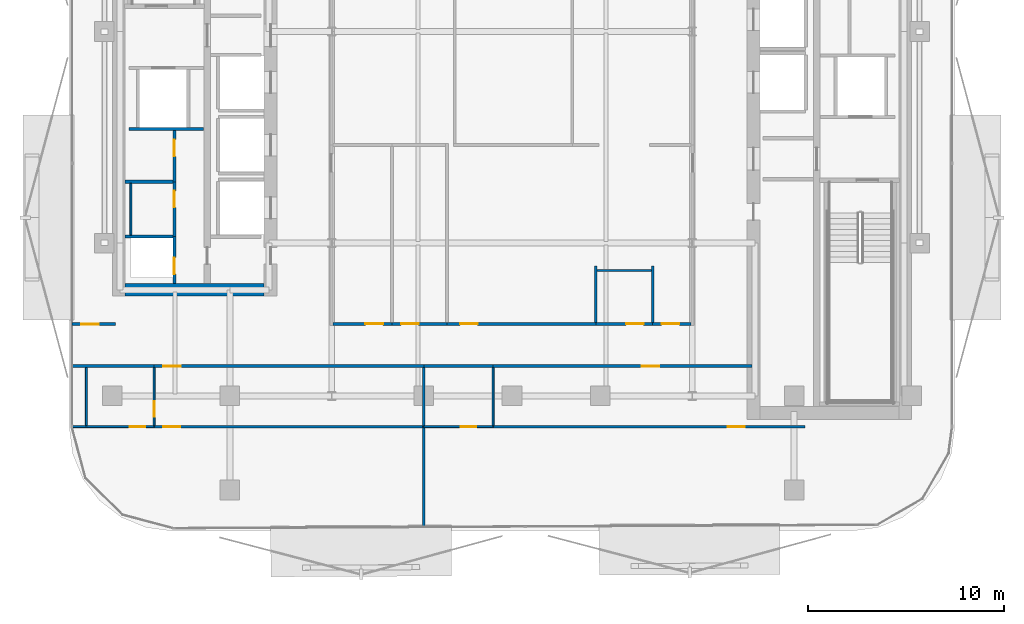
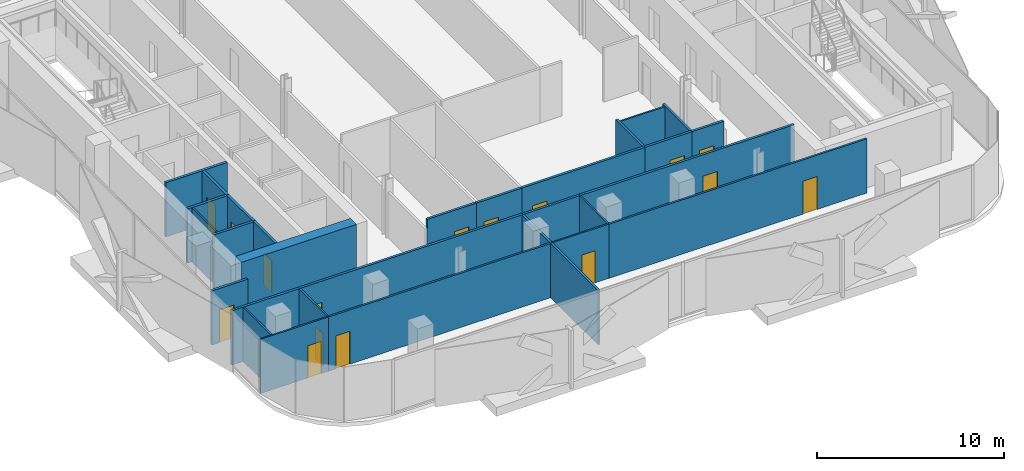
# One storey, part 3 of 16: 30 walls, 16 doors, 16 openings.
"""IFC4 building model written with IfcOpenShell, lengths in metres."""

from ifc_helpers import new_model, si_unit, direction, frame, frame_2d, origin, place, context, subcontext, project, spatial, rectangle, extrude, material, layer, layer_set, type_object, element, fill, save


model = new_model("IFC4")

# Units and contexts
model_context = context("Model", 3, precision=1e-05, world=origin(), true_north=direction((0.0, 1.0)))
body_context = subcontext(model_context, "Body", "Model", "MODEL_VIEW")
ifc_project = project(units=[si_unit("LENGTHUNIT", "METRE"), si_unit("AREAUNIT", "SQUARE_METRE"), si_unit("VOLUMEUNIT", "CUBIC_METRE"), si_unit("PLANEANGLEUNIT", "RADIAN"), si_unit("MASSUNIT", "GRAM", prefix="KILO")], contexts=[model_context])

# Site, building, storey
site_placement = place(None, origin())
site = spatial("IfcSite", under=ifc_project, at=site_placement, CompositionType="ELEMENT")
building_placement = place(site_placement, origin())
building = spatial("IfcBuilding", under=site, at=building_placement, Name="Khairoan Windgate Tower", CompositionType="ELEMENT")
storey_placement = place(building_placement, frame((0.0, 0.0, 187.800048828125)))
storey = spatial("IfcBuildingStorey", under=building, at=storey_placement, Name="L43", CompositionType="ELEMENT", Elevation=187.800048828125)

# Wall, opening, door
ifc_material_1 = material(Name="Moisture-Resistant Gypsum Partition", Category="gypsum")
ifc_layer_1 = layer(ifc_material_1, 0.10009765625, Name="Moisture-Resistant Gypsum Partition")
ifc_layer_set_1 = layer_set([ifc_layer_1], Name="Moisture-Resistant Gypsum Partition")
wall_type_1 = type_object("IfcWallType", Name="Bathroom Wet-Area Partition Wall", PredefinedType="PARTITIONING", material=ifc_layer_set_1)
wall_1_placement = place(storey_placement, frame((-18.260009765625, -20.1201171875, 0.0), z_axis=(0.0, 0.0, 1.0), x_axis=(0.0, 1.0, 0.0)))
wall_1 = element("IfcWall", 1, at=wall_1_placement, inside=storey, type_object=wall_type_1, Name="L43 Interior Partition 060", PredefinedType="PARTITIONING", context=body_context, shape_type="SweptSolid", body=[
    extrude(rectangle(XDim=2.965087890625, YDim=0.10009765625, at=frame_2d((1.482421875, 0.0))), origin(), (0.0, 0.0, 1.0), 3.5400390625),
])
opening_1_placement = place(wall_1_placement, frame((0.4599609375, 0.0, 0.0)))
opening_1 = element("IfcOpeningElement", 2, at=opening_1_placement, cuts=wall_1, Name="Opening ID-BTH", PredefinedType="OPENING", context=body_context, shape_type="SweptSolid", body=[
    extrude(rectangle(XDim=0.800048828125, YDim=2.10009765625, at=frame_2d((0.39990234375, 1.050048828125))), frame((0.0, 0.06005859375, 0.0), z_axis=(0.0, -1.0, 0.0), x_axis=(1.0, 0.0, 0.0)), (0.0, 0.0, 1.0), 0.1201171875),
])
ifc_material_2 = material(Name="Teak Veneer Timber Leaf", Category="wood")
door_type_1 = type_object("IfcDoorType", Name="Internal Bathroom Door ID-BTH 800x2100", OperationType="NOTDEFINED", PredefinedType="DOOR", material=ifc_material_2)
door_1_placement = place(opening_1_placement, origin())
door_1 = element("IfcDoor", 3, at=door_1_placement, inside=storey, type_object=door_type_1, Name="L43 L43-48-L43-49 Door", OperationType="SINGLE_SWING_RIGHT", OverallHeight=2.10009765625, OverallWidth=0.800048828125, PredefinedType="DOOR", context=body_context, shape_type="SweptSolid", body=[
    extrude(rectangle(XDim=0.800048828125, YDim=2.10009765625, at=frame_2d((0.39990234375, 1.050048828125))), frame((0.0, 0.02490234375, 0.0), z_axis=(0.0, -1.0, 0.0), x_axis=(1.0, 0.0, 0.0)), (0.0, 0.0, 1.0), 0.050048828125),
])
fill(opening_1, door_1)

wall_2_placement = place(storey_placement, frame((-22.455078125, -20.169921875, 0.0), z_axis=(0.0, 0.0, 1.0), x_axis=(1.0, 0.0, 0.0)))
wall_2 = element("IfcWall", 4, at=wall_2_placement, inside=storey, type_object=wall_type_1, Name="L43 Interior Partition 061", PredefinedType="PARTITIONING", context=body_context, shape_type="SweptSolid", body=[
    extrude(rectangle(XDim=4.195068359375, YDim=0.10009765625, at=frame_2d((2.09765625, 0.0))), origin(), (0.0, 0.0, 1.0), 3.5400390625),
])
opening_2_placement = place(wall_2_placement, frame((2.93505859375, 0.0, 0.0)))
opening_2 = element("IfcOpeningElement", 5, at=opening_2_placement, cuts=wall_2, Name="Opening ID-BTH", PredefinedType="OPENING", context=body_context, shape_type="SweptSolid", body=[
    extrude(rectangle(XDim=0.800048828125, YDim=2.10009765625, at=frame_2d((0.39990234375, 1.050048828125))), frame((0.0, 0.06005859375, 0.0), z_axis=(0.0, -1.0, 0.0), x_axis=(1.0, 0.0, 0.0)), (0.0, 0.0, 1.0), 0.1201171875),
])
door_2_placement = place(opening_2_placement, origin())
door_2 = element("IfcDoor", 6, at=door_2_placement, inside=storey, type_object=door_type_1, Name="L43 L43-48-L43-50 Door", OperationType="SINGLE_SWING_LEFT", OverallHeight=2.10009765625, OverallWidth=0.800048828125, PredefinedType="DOOR", context=body_context, shape_type="SweptSolid", body=[
    extrude(rectangle(XDim=0.800048828125, YDim=2.10009765625, at=frame_2d((0.39990234375, 1.050048828125))), frame((0.0, 0.02490234375, 0.0), z_axis=(0.0, -1.0, 0.0), x_axis=(1.0, 0.0, 0.0)), (0.0, 0.0, 1.0), 0.050048828125),
])
fill(opening_2, door_2)

# Wall
wall_3_placement = place(storey_placement, frame((-0.9599609375, -20.1201171875, 0.0), z_axis=(0.0, 0.0, 1.0), x_axis=(0.0, 1.0, 0.0)))
element("IfcWall", 7, at=wall_3_placement, inside=storey, type_object=wall_type_1, Name="L43 Interior Partition 065", PredefinedType="PARTITIONING", context=body_context, shape_type="SweptSolid", body=[
    extrude(rectangle(XDim=2.965087890625, YDim=0.10009765625, at=frame_2d((1.482421875, 0.0))), origin(), (0.0, 0.0, 1.0), 3.5400390625),
])

# Wall, opening, door
wall_4_placement = place(storey_placement, frame((-4.5, -20.169921875, 0.0), z_axis=(0.0, 0.0, 1.0), x_axis=(1.0, 0.0, 0.0)))
wall_4 = element("IfcWall", 8, at=wall_4_placement, inside=storey, type_object=wall_type_1, Name="L43 Interior Partition 066", PredefinedType="PARTITIONING", context=body_context, shape_type="SweptSolid", body=[
    extrude(rectangle(XDim=3.5400390625, YDim=0.10009765625, at=frame_2d((1.77001953125, 0.0))), origin(), (0.0, 0.0, 1.0), 3.5400390625),
])
opening_3_placement = place(wall_4_placement, frame((1.87548828125, 0.0, 0.0)))
opening_3 = element("IfcOpeningElement", 9, at=opening_3_placement, cuts=wall_4, Name="Opening ID-BTH", PredefinedType="OPENING", context=body_context, shape_type="SweptSolid", body=[
    extrude(rectangle(XDim=0.800048828125, YDim=2.10009765625, at=frame_2d((0.39990234375, 1.050048828125))), frame((0.0, 0.06005859375, 0.0), z_axis=(0.0, -1.0, 0.0), x_axis=(1.0, 0.0, 0.0)), (0.0, 0.0, 1.0), 0.1201171875),
])
door_3_placement = place(opening_3_placement, origin())
door_3 = element("IfcDoor", 10, at=door_3_placement, inside=storey, type_object=door_type_1, Name="L43 L43-51-L43-53 Door", OperationType="SINGLE_SWING_RIGHT", OverallHeight=2.10009765625, OverallWidth=0.800048828125, PredefinedType="DOOR", context=body_context, shape_type="SweptSolid", body=[
    extrude(rectangle(XDim=0.800048828125, YDim=2.10009765625, at=frame_2d((0.39990234375, 1.050048828125))), frame((0.0, 0.02490234375, 0.0), z_axis=(0.0, -1.0, 0.0), x_axis=(1.0, 0.0, 0.0)), (0.0, 0.0, 1.0), 0.050048828125),
])
fill(opening_3, door_3)

# Walls
wall_5_placement = place(storey_placement, frame((-19.449951171875, -10.389892578125, 0.0), z_axis=(0.0, 0.0, 1.0), x_axis=(0.0, 1.0, 0.0)))
element("IfcWall", 11, at=wall_5_placement, inside=storey, type_object=wall_type_1, Name="L43 Wet Room Side Wall 069", PredefinedType="PARTITIONING", context=body_context, shape_type="SweptSolid", body=[
    extrude(rectangle(XDim=2.639892578125, YDim=0.10009765625, at=frame_2d((1.31982421875, 0.0))), origin(), (0.0, 0.0, 1.0), 3.5400390625),
])
wall_6_placement = place(storey_placement, frame((4.35009765625, -12.199951171875, 0.0), z_axis=(0.0, 0.0, 1.0), x_axis=(1.0, 0.0, 0.0)))
element("IfcWall", 12, at=wall_6_placement, inside=storey, type_object=wall_type_1, Name="L43 Wet Room Side Wall 070", PredefinedType="PARTITIONING", context=body_context, shape_type="SweptSolid", body=[
    extrude(rectangle(XDim=2.760009765625, YDim=0.10009765625, at=frame_2d((1.3798828125, 0.0))), origin(), (0.0, 0.0, 1.0), 3.5400390625),
])
wall_7_placement = place(storey_placement, frame((-21.719970703125, -20.1201171875, 0.0), z_axis=(0.0, 0.0, 1.0), x_axis=(0.0, 1.0, 0.0)))
element("IfcWall", 13, at=wall_7_placement, inside=storey, type_object=wall_type_1, Name="L43 Wet Room Side Wall 072", PredefinedType="PARTITIONING", context=body_context, shape_type="SweptSolid", body=[
    extrude(rectangle(XDim=2.965087890625, YDim=0.10009765625, at=frame_2d((1.482421875, 0.0))), origin(), (0.0, 0.0, 1.0), 3.5400390625),
])
ifc_material_3 = material(Name="Concrete C40/50", Category="concrete")
ifc_layer_2 = layer(ifc_material_3, 0.159912109375, Name="Concrete C40/50")
ifc_layer_set_2 = layer_set([ifc_layer_2], Name="Concrete C40/50")
wall_type_2 = type_object("IfcWallType", Name="Core and Hoistway Enclosure Wall", PredefinedType="STANDARD", material=ifc_layer_set_2)
wall_8_placement = place(storey_placement, frame((-19.550048828125, -4.97998046875, 0.0), z_axis=(0.0, 0.0, 1.0), x_axis=(1.0, 0.0, 0.0)))
element("IfcWall", 14, at=wall_8_placement, inside=storey, type_object=wall_type_2, Name="L43 Core Shaft Wall SW-FL2B-L43", PredefinedType="STANDARD", context=body_context, shape_type="SweptSolid", body=[
    extrude(rectangle(XDim=3.800048828125, YDim=0.159912109375, at=frame_2d((1.89990234375, 0.0))), origin(), (0.0, 0.0, 1.0), 3.5400390625),
])
ifc_material_4 = material(Name="Acoustic Fire-Rated Gypsum Partition", Category="gypsum")
ifc_layer_3 = layer(ifc_material_4, 0.139892578125, Name="Acoustic Fire-Rated Gypsum Partition")
ifc_layer_set_3 = layer_set([ifc_layer_3], Name="Acoustic Fire-Rated Gypsum Partition")
wall_type_3 = type_object("IfcWallType", Name="Inter-Tenancy Compartment Wall", PredefinedType="PARTITIONING", material=ifc_layer_set_3)
for number, where, z_axis, x_axis, name in (
    (15, (4.280029296875, -14.844970703125, 0.0), (0.0, 0.0, 1.0), (0.0, 1.0, 0.0), "L43 Interior Partition 040"),
    (16, (7.179931640625, -14.844970703125, 0.0), (0.0, 0.0, 1.0), (0.0, 1.0, 0.0), "L43 Interior Partition 043"),
):
    element("IfcWall", number, at=place(storey_placement, frame(where, z_axis=z_axis, x_axis=x_axis)), inside=storey, type_object=wall_type_3, Name=name, PredefinedType="PARTITIONING", context=body_context, shape_type="SweptSolid", body=[
        extrude(rectangle(XDim=2.885009765625, YDim=0.139892578125, at=frame_2d((1.4423828125, 0.0))), origin(), (0.0, 0.0, 1.0), 3.5400390625),
    ])
wall_9_placement = place(storey_placement, frame((-4.5, -20.169921875, 0.0), z_axis=(0.0, 0.0, 1.0), x_axis=(0.0, 1.0, 0.0)))
element("IfcWall", 17, at=wall_9_placement, inside=storey, type_object=wall_type_3, Name="L43 Interior Partition 063", PredefinedType="PARTITIONING", context=body_context, shape_type="SweptSolid", body=[
    extrude(rectangle(XDim=3.014892578125, YDim=0.139892578125, at=frame_2d((1.50732421875, 0.0))), origin(), (0.0, 0.0, 1.0), 3.5400390625),
])
wall_10_placement = place(storey_placement, frame((-4.5, -25.2919921875, 0.0), z_axis=(0.0, 0.0, 1.0), x_axis=(0.0, 1.0, 0.0)))
element("IfcWall", 18, at=wall_10_placement, inside=storey, type_object=wall_type_3, Name="L43 Interior Partition 064", PredefinedType="PARTITIONING", context=body_context, shape_type="SweptSolid", body=[
    extrude(rectangle(XDim=5.1220703125, YDim=0.139892578125, at=frame_2d((2.56103515625, 0.0))), origin(), (0.0, 0.0, 1.0), 3.5400390625),
])

# Wall, opening, door
ifc_material_5 = material(Name="Gypsum Stud Partition", Category="gypsum")
ifc_layer_4 = layer(ifc_material_5, 0.1201171875, Name="Gypsum Stud Partition")
ifc_layer_set_4 = layer_set([ifc_layer_4], Name="Gypsum Stud Partition")
wall_type_4 = type_object("IfcWallType", Name="Internal Room Partition Wall", PredefinedType="PARTITIONING", material=ifc_layer_set_4)
wall_11_placement = place(storey_placement, frame((-18.260009765625, -20.169921875, 0.0), z_axis=(0.0, 0.0, 1.0), x_axis=(1.0, 0.0, 0.0)))
wall_11 = element("IfcWall", 19, at=wall_11_placement, inside=storey, type_object=wall_type_4, Name="L43 Interior Partition 062", PredefinedType="PARTITIONING", context=body_context, shape_type="SweptSolid", body=[
    extrude(rectangle(XDim=13.760009765625, YDim=0.1201171875, at=frame_2d((6.8798828125, 0.0))), origin(), (0.0, 0.0, 1.0), 3.5400390625),
])
opening_4_placement = place(wall_11_placement, frame((0.4599609375, 0.0, 0.0)))
opening_4 = element("IfcOpeningElement", 20, at=opening_4_placement, cuts=wall_11, Name="Opening ID-RM", PredefinedType="OPENING", context=body_context, shape_type="SweptSolid", body=[
    extrude(rectangle(XDim=0.860107421875, YDim=2.14990234375, at=frame_2d((0.43017578125, 1.074951171875))), frame((0.0, 0.070068359375, 0.0), z_axis=(0.0, -1.0, 0.0), x_axis=(1.0, 0.0, 0.0)), (0.0, 0.0, 1.0), 0.14013671875),
])
ifc_material_6 = material(Name="Teak Veneer Timber Leaf", Category="wood")
door_type_2 = type_object("IfcDoorType", Name="Internal Bedroom and Office Door ID-RM 860x2150", OperationType="NOTDEFINED", PredefinedType="DOOR", material=ifc_material_6)
door_4_placement = place(opening_4_placement, origin())
door_4 = element("IfcDoor", 21, at=door_4_placement, inside=storey, type_object=door_type_2, Name="L43 L43-49-L43-50 Door", OperationType="SINGLE_SWING_RIGHT", OverallHeight=2.14990234375, OverallWidth=0.860107421875, PredefinedType="DOOR", context=body_context, shape_type="SweptSolid", body=[
    extrude(rectangle(XDim=0.860107421875, YDim=2.14990234375, at=frame_2d((0.43017578125, 1.074951171875))), frame((0.0, 0.02490234375, 0.0), z_axis=(0.0, -1.0, 0.0), x_axis=(1.0, 0.0, 0.0)), (0.0, 0.0, 1.0), 0.050048828125),
])
fill(opening_4, door_4)

wall_12_placement = place(storey_placement, frame((-0.9599609375, -20.169921875, 0.0), z_axis=(0.0, 0.0, 1.0), x_axis=(1.0, 0.0, 0.0)))
wall_12 = element("IfcWall", 22, at=wall_12_placement, inside=storey, type_object=wall_type_4, Name="L43 Interior Partition 067", PredefinedType="PARTITIONING", context=body_context, shape_type="SweptSolid", body=[
    extrude(rectangle(XDim=15.919921875, YDim=0.1201171875, at=frame_2d((7.9599609375, 0.0))), origin(), (0.0, 0.0, 1.0), 3.5400390625),
])
opening_5_placement = place(wall_12_placement, frame((11.97412109375, 0.0, 0.0)))
opening_5 = element("IfcOpeningElement", 23, at=opening_5_placement, cuts=wall_12, Name="Opening ID-RM", PredefinedType="OPENING", context=body_context, shape_type="SweptSolid", body=[
    extrude(rectangle(XDim=0.860107421875, YDim=2.14990234375, at=frame_2d((0.43017578125, 1.074951171875))), frame((0.0, 0.070068359375, 0.0), z_axis=(0.0, -1.0, 0.0), x_axis=(1.0, 0.0, 0.0)), (0.0, 0.0, 1.0), 0.14013671875),
])
door_5_placement = place(opening_5_placement, origin())
door_5 = element("IfcDoor", 24, at=door_5_placement, inside=storey, type_object=door_type_2, Name="L43 L43-52-L43-53 Door", OperationType="SINGLE_SWING_LEFT", OverallHeight=2.14990234375, OverallWidth=0.860107421875, PredefinedType="DOOR", context=body_context, shape_type="SweptSolid", body=[
    extrude(rectangle(XDim=0.860107421875, YDim=2.14990234375, at=frame_2d((0.43017578125, 1.074951171875))), frame((0.0, 0.02490234375, 0.0), z_axis=(0.0, -1.0, 0.0), x_axis=(1.0, 0.0, 0.0)), (0.0, 0.0, 1.0), 0.050048828125),
])
fill(opening_5, door_5)

ifc_material_7 = material(Name="Concrete C40/50", Category="concrete")
ifc_layer_5 = layer(ifc_material_7, 0.159912109375, Name="Concrete C40/50")
ifc_layer_set_5 = layer_set([ifc_layer_5], Name="Concrete C40/50")
wall_type_5 = type_object("IfcWallType", Name="Plant and Refuge Compartment Wall", PredefinedType="PARTITIONING", material=ifc_layer_set_5)
wall_13_placement = place(storey_placement, frame((-17.22998046875, -12.85009765625, 0.0), z_axis=(0.0, 0.0, 1.0), x_axis=(0.0, 1.0, 0.0)))
wall_13 = element("IfcWall", 25, at=wall_13_placement, inside=storey, type_object=wall_type_5, Name="L43 Interior Partition 001", PredefinedType="PARTITIONING", context=body_context, shape_type="SweptSolid", body=[
    extrude(rectangle(XDim=2.380126953125, YDim=0.159912109375, at=frame_2d((1.18994140625, 0.0))), origin(), (0.0, 0.0, 1.0), 3.5400390625),
])
opening_6_placement = place(wall_13_placement, frame((0.4599609375, 0.0, 0.0)))
opening_6 = element("IfcOpeningElement", 26, at=opening_6_placement, cuts=wall_13, Name="Opening FD-SRV", PredefinedType="OPENING", context=body_context, shape_type="SweptSolid", body=[
    extrude(rectangle(XDim=0.85009765625, YDim=2.10009765625, at=frame_2d((0.425048828125, 1.050048828125))), frame((0.0, 0.08984375, 0.0), z_axis=(0.0, -1.0, 0.0), x_axis=(1.0, 0.0, 0.0)), (0.0, 0.0, 1.0), 0.179931640625),
])
ifc_material_8 = material(Name="Steel S355", Category="steel")
door_type_3 = type_object("IfcDoorType", Name="Core Service and Riser Fire Door FD-SRV 850x2100", OperationType="NOTDEFINED", PredefinedType="DOOR", material=ifc_material_8)
door_6_placement = place(opening_6_placement, origin())
door_6 = element("IfcDoor", 27, at=door_6_placement, inside=storey, type_object=door_type_3, Name="L43 L43-04-L43-05 Door", OperationType="SINGLE_SWING_LEFT", OverallHeight=2.10009765625, OverallWidth=0.85009765625, PredefinedType="DOOR", context=body_context, shape_type="SweptSolid", body=[
    extrude(rectangle(XDim=0.85009765625, YDim=2.10009765625, at=frame_2d((0.425048828125, 1.050048828125))), frame((0.0, 0.02490234375, 0.0), z_axis=(0.0, -1.0, 0.0), x_axis=(1.0, 0.0, 0.0)), (0.0, 0.0, 1.0), 0.050048828125),
])
fill(opening_6, door_6)

wall_14_placement = place(storey_placement, frame((-17.22998046875, -10.469970703125, 0.0), z_axis=(0.0, 0.0, 1.0), x_axis=(0.0, 1.0, 0.0)))
wall_14 = element("IfcWall", 28, at=wall_14_placement, inside=storey, type_object=wall_type_5, Name="L43 Interior Partition 002", PredefinedType="PARTITIONING", context=body_context, shape_type="SweptSolid", body=[
    extrude(rectangle(XDim=2.800048828125, YDim=0.159912109375, at=frame_2d((1.39990234375, 0.0))), origin(), (0.0, 0.0, 1.0), 3.5400390625),
])
opening_7_placement = place(wall_14_placement, frame((1.489990234375, 0.0, 0.0)))
opening_7 = element("IfcOpeningElement", 29, at=opening_7_placement, cuts=wall_14, Name="Opening FD-SRV", PredefinedType="OPENING", context=body_context, shape_type="SweptSolid", body=[
    extrude(rectangle(XDim=0.85009765625, YDim=2.10009765625, at=frame_2d((0.425048828125, 1.050048828125))), frame((0.0, 0.08984375, 0.0), z_axis=(0.0, -1.0, 0.0), x_axis=(1.0, 0.0, 0.0)), (0.0, 0.0, 1.0), 0.179931640625),
])
door_7_placement = place(opening_7_placement, origin())
door_7 = element("IfcDoor", 30, at=door_7_placement, inside=storey, type_object=door_type_3, Name="L43 L43-04-L43-06 Door", OperationType="SINGLE_SWING_RIGHT", OverallHeight=2.10009765625, OverallWidth=0.85009765625, PredefinedType="DOOR", context=body_context, shape_type="SweptSolid", body=[
    extrude(rectangle(XDim=0.85009765625, YDim=2.10009765625, at=frame_2d((0.425048828125, 1.050048828125))), frame((0.0, 0.02490234375, 0.0), z_axis=(0.0, -1.0, 0.0), x_axis=(1.0, 0.0, 0.0)), (0.0, 0.0, 1.0), 0.050048828125),
])
fill(opening_7, door_7)

wall_15_placement = place(storey_placement, frame((-17.22998046875, -7.669921875, 0.0), z_axis=(0.0, 0.0, 1.0), x_axis=(0.0, 1.0, 0.0)))
wall_15 = element("IfcWall", 31, at=wall_15_placement, inside=storey, type_object=wall_type_5, Name="L43 Interior Partition 003", PredefinedType="PARTITIONING", context=body_context, shape_type="SweptSolid", body=[
    extrude(rectangle(XDim=2.60986328125, YDim=0.159912109375, at=frame_2d((1.304931640625, 0.0))), origin(), (0.0, 0.0, 1.0), 3.5400390625),
])
opening_8_placement = place(wall_15_placement, frame((1.300048828125, 0.0, 0.0)))
opening_8 = element("IfcOpeningElement", 32, at=opening_8_placement, cuts=wall_15, Name="Opening FD-SRV", PredefinedType="OPENING", context=body_context, shape_type="SweptSolid", body=[
    extrude(rectangle(XDim=0.85009765625, YDim=2.10009765625, at=frame_2d((0.425048828125, 1.050048828125))), frame((0.0, 0.08984375, 0.0), z_axis=(0.0, -1.0, 0.0), x_axis=(1.0, 0.0, 0.0)), (0.0, 0.0, 1.0), 0.179931640625),
])
door_8_placement = place(opening_8_placement, origin())
door_8 = element("IfcDoor", 33, at=door_8_placement, inside=storey, type_object=door_type_3, Name="L43 L43-04-L43-07 Door", OperationType="SINGLE_SWING_LEFT", OverallHeight=2.10009765625, OverallWidth=0.85009765625, PredefinedType="DOOR", context=body_context, shape_type="SweptSolid", body=[
    extrude(rectangle(XDim=0.85009765625, YDim=2.10009765625, at=frame_2d((0.425048828125, 1.050048828125))), frame((0.0, 0.02490234375, 0.0), z_axis=(0.0, -1.0, 0.0), x_axis=(1.0, 0.0, 0.0)), (0.0, 0.0, 1.0), 0.050048828125),
])
fill(opening_8, door_8)

# Walls
for number, where, z_axis, x_axis, name in (
    (34, (-19.75, -10.469970703125, 0.0), (0.0, 0.0, 1.0), (1.0, 0.0, 0.0), "L43 Interior Partition 004"),
    (35, (-19.75, -7.669921875, 0.0), (0.0, 0.0, 1.0), (1.0, 0.0, 0.0), "L43 Interior Partition 005"),
):
    element("IfcWall", number, at=place(storey_placement, frame(where, z_axis=z_axis, x_axis=x_axis)), inside=storey, type_object=wall_type_5, Name=name, PredefinedType="PARTITIONING", context=body_context, shape_type="SweptSolid", body=[
        extrude(rectangle(XDim=2.43994140625, YDim=0.159912109375, at=frame_2d((1.219970703125, 0.0))), origin(), (0.0, 0.0, 1.0), 3.5400390625),
    ])

# Wall, opening, door
ifc_material_9 = material(Name="Acoustic Fire-Rated Gypsum Partition", Category="gypsum")
ifc_layer_6 = layer(ifc_material_9, 0.14990234375, Name="Acoustic Fire-Rated Gypsum Partition")
ifc_layer_set_6 = layer_set([ifc_layer_6], Name="Acoustic Fire-Rated Gypsum Partition")
wall_type_6 = type_object("IfcWallType", Name="Rated Corridor Partition Wall", PredefinedType="PARTITIONING", material=ifc_layer_set_6)
wall_16_placement = place(storey_placement, frame((-9.14501953125, -14.919921875, 0.0), z_axis=(0.0, 0.0, 1.0), x_axis=(1.0, 0.0, 0.0)))
wall_16 = element("IfcWall", 36, at=wall_16_placement, inside=storey, type_object=wall_type_6, Name="L43 Interior Partition 026", PredefinedType="PARTITIONING", context=body_context, shape_type="SweptSolid", body=[
    extrude(rectangle(XDim=3.02490234375, YDim=0.14990234375, at=frame_2d((1.512451171875, 0.0))), origin(), (0.0, 0.0, 1.0), 3.5400390625),
])
opening_9_placement = place(wall_16_placement, frame((1.6650390625, 0.0, 0.0)))
opening_9 = element("IfcOpeningElement", 37, at=opening_9_placement, cuts=wall_16, Name="Opening FD-ENT", PredefinedType="OPENING", context=body_context, shape_type="SweptSolid", body=[
    extrude(rectangle(XDim=0.89990234375, YDim=2.14990234375, at=frame_2d((0.449951171875, 1.074951171875))), frame((0.0, 0.0849609375, 0.0), z_axis=(0.0, -1.0, 0.0), x_axis=(1.0, 0.0, 0.0)), (0.0, 0.0, 1.0), 0.169921875),
])
ifc_material_10 = material(Name="Timber Fire-Rated Core", Category="wood")
door_type_4 = type_object("IfcDoorType", Name="Unit and Office Fire Entrance Door FD-ENT 900x2150", OperationType="NOTDEFINED", PredefinedType="DOOR", material=ifc_material_10)
door_9_placement = place(opening_9_placement, origin())
door_9 = element("IfcDoor", 38, at=door_9_placement, inside=storey, type_object=door_type_4, Name="L43 L43-30-L43-31 Door", OperationType="SINGLE_SWING_LEFT", OverallHeight=2.14990234375, OverallWidth=0.89990234375, PredefinedType="DOOR", context=body_context, shape_type="SweptSolid", body=[
    extrude(rectangle(XDim=0.89990234375, YDim=2.14990234375, at=frame_2d((0.449951171875, 1.074951171875))), frame((0.0, 0.02490234375, 0.0), z_axis=(0.0, -1.0, 0.0), x_axis=(1.0, 0.0, 0.0)), (0.0, 0.0, 1.0), 0.050048828125),
])
fill(opening_9, door_9)

wall_17_placement = place(storey_placement, frame((-6.1201171875, -14.919921875, 0.0), z_axis=(0.0, 0.0, 1.0), x_axis=(1.0, 0.0, 0.0)))
wall_17 = element("IfcWall", 39, at=wall_17_placement, inside=storey, type_object=wall_type_6, Name="L43 Interior Partition 027", PredefinedType="PARTITIONING", context=body_context, shape_type="SweptSolid", body=[
    extrude(rectangle(XDim=2.800048828125, YDim=0.14990234375, at=frame_2d((1.39990234375, 0.0))), origin(), (0.0, 0.0, 1.0), 3.5400390625),
])
opening_10_placement = place(wall_17_placement, frame((0.4599609375, 0.0, 0.0)))
opening_10 = element("IfcOpeningElement", 40, at=opening_10_placement, cuts=wall_17, Name="Opening FD-ENT", PredefinedType="OPENING", context=body_context, shape_type="SweptSolid", body=[
    extrude(rectangle(XDim=0.89990234375, YDim=2.14990234375, at=frame_2d((0.449951171875, 1.074951171875))), frame((0.0, 0.0849609375, 0.0), z_axis=(0.0, -1.0, 0.0), x_axis=(1.0, 0.0, 0.0)), (0.0, 0.0, 1.0), 0.169921875),
])
door_10_placement = place(opening_10_placement, origin())
door_10 = element("IfcDoor", 41, at=door_10_placement, inside=storey, type_object=door_type_4, Name="L43 L43-30-L43-32 Door", OperationType="SINGLE_SWING_RIGHT", OverallHeight=2.14990234375, OverallWidth=0.89990234375, PredefinedType="DOOR", context=body_context, shape_type="SweptSolid", body=[
    extrude(rectangle(XDim=0.89990234375, YDim=2.14990234375, at=frame_2d((0.449951171875, 1.074951171875))), frame((0.0, 0.02490234375, 0.0), z_axis=(0.0, -1.0, 0.0), x_axis=(1.0, 0.0, 0.0)), (0.0, 0.0, 1.0), 0.050048828125),
])
fill(opening_10, door_10)

wall_18_placement = place(storey_placement, frame((-3.320068359375, -14.919921875, 0.0), z_axis=(0.0, 0.0, 1.0), x_axis=(1.0, 0.0, 0.0)))
wall_18 = element("IfcWall", 42, at=wall_18_placement, inside=storey, type_object=wall_type_6, Name="L43 Interior Partition 028", PredefinedType="PARTITIONING", context=body_context, shape_type="SweptSolid", body=[
    extrude(rectangle(XDim=7.60009765625, YDim=0.14990234375, at=frame_2d((3.800048828125, 0.0))), origin(), (0.0, 0.0, 1.0), 3.5400390625),
])
opening_11_placement = place(wall_18_placement, frame((0.66650390625, 0.0, 0.0)))
opening_11 = element("IfcOpeningElement", 43, at=opening_11_placement, cuts=wall_18, Name="Opening FD-ENT", PredefinedType="OPENING", context=body_context, shape_type="SweptSolid", body=[
    extrude(rectangle(XDim=0.89990234375, YDim=2.14990234375, at=frame_2d((0.449951171875, 1.074951171875))), frame((0.0, 0.0849609375, 0.0), z_axis=(0.0, -1.0, 0.0), x_axis=(1.0, 0.0, 0.0)), (0.0, 0.0, 1.0), 0.169921875),
])
door_11_placement = place(opening_11_placement, origin())
door_11 = element("IfcDoor", 44, at=door_11_placement, inside=storey, type_object=door_type_4, Name="L43 L43-30-L43-33 Door", OperationType="SINGLE_SWING_LEFT", OverallHeight=2.14990234375, OverallWidth=0.89990234375, PredefinedType="DOOR", context=body_context, shape_type="SweptSolid", body=[
    extrude(rectangle(XDim=0.89990234375, YDim=2.14990234375, at=frame_2d((0.449951171875, 1.074951171875))), frame((0.0, 0.02490234375, 0.0), z_axis=(0.0, -1.0, 0.0), x_axis=(1.0, 0.0, 0.0)), (0.0, 0.0, 1.0), 0.050048828125),
])
fill(opening_11, door_11)

wall_19_placement = place(storey_placement, frame((4.280029296875, -14.919921875, 0.0), z_axis=(0.0, 0.0, 1.0), x_axis=(1.0, 0.0, 0.0)))
wall_19 = element("IfcWall", 45, at=wall_19_placement, inside=storey, type_object=wall_type_6, Name="L43 Interior Partition 029", PredefinedType="PARTITIONING", context=body_context, shape_type="SweptSolid", body=[
    extrude(rectangle(XDim=2.89990234375, YDim=0.14990234375, at=frame_2d((1.449951171875, 0.0))), origin(), (0.0, 0.0, 1.0), 3.5400390625),
])
opening_12_placement = place(wall_19_placement, frame((1.5400390625, 0.0, 0.0)))
opening_12 = element("IfcOpeningElement", 46, at=opening_12_placement, cuts=wall_19, Name="Opening FD-ENT", PredefinedType="OPENING", context=body_context, shape_type="SweptSolid", body=[
    extrude(rectangle(XDim=0.89990234375, YDim=2.14990234375, at=frame_2d((0.449951171875, 1.074951171875))), frame((0.0, 0.0849609375, 0.0), z_axis=(0.0, -1.0, 0.0), x_axis=(1.0, 0.0, 0.0)), (0.0, 0.0, 1.0), 0.169921875),
])
door_12_placement = place(opening_12_placement, origin())
door_12 = element("IfcDoor", 47, at=door_12_placement, inside=storey, type_object=door_type_4, Name="L43 L43-30-L43-34 Door", OperationType="SINGLE_SWING_RIGHT", OverallHeight=2.14990234375, OverallWidth=0.89990234375, PredefinedType="DOOR", context=body_context, shape_type="SweptSolid", body=[
    extrude(rectangle(XDim=0.89990234375, YDim=2.14990234375, at=frame_2d((0.449951171875, 1.074951171875))), frame((0.0, 0.02490234375, 0.0), z_axis=(0.0, -1.0, 0.0), x_axis=(1.0, 0.0, 0.0)), (0.0, 0.0, 1.0), 0.050048828125),
])
fill(opening_12, door_12)

wall_20_placement = place(storey_placement, frame((7.179931640625, -14.919921875, 0.0), z_axis=(0.0, 0.0, 1.0), x_axis=(1.0, 0.0, 0.0)))
wall_20 = element("IfcWall", 48, at=wall_20_placement, inside=storey, type_object=wall_type_6, Name="L43 Interior Partition 030", PredefinedType="PARTITIONING", context=body_context, shape_type="SweptSolid", body=[
    extrude(rectangle(XDim=1.965087890625, YDim=0.14990234375, at=frame_2d((0.982421875, 0.0))), origin(), (0.0, 0.0, 1.0), 3.5400390625),
])
opening_13_placement = place(wall_20_placement, frame((0.4599609375, 0.0, 0.0)))
opening_13 = element("IfcOpeningElement", 49, at=opening_13_placement, cuts=wall_20, Name="Opening FD-ENT", PredefinedType="OPENING", context=body_context, shape_type="SweptSolid", body=[
    extrude(rectangle(XDim=0.89990234375, YDim=2.14990234375, at=frame_2d((0.449951171875, 1.074951171875))), frame((0.0, 0.0849609375, 0.0), z_axis=(0.0, -1.0, 0.0), x_axis=(1.0, 0.0, 0.0)), (0.0, 0.0, 1.0), 0.169921875),
])
door_13_placement = place(opening_13_placement, origin())
door_13 = element("IfcDoor", 50, at=door_13_placement, inside=storey, type_object=door_type_4, Name="L43 L43-30-L43-35 Door", OperationType="SINGLE_SWING_LEFT", OverallHeight=2.14990234375, OverallWidth=0.89990234375, PredefinedType="DOOR", context=body_context, shape_type="SweptSolid", body=[
    extrude(rectangle(XDim=0.89990234375, YDim=2.14990234375, at=frame_2d((0.449951171875, 1.074951171875))), frame((0.0, 0.02490234375, 0.0), z_axis=(0.0, -1.0, 0.0), x_axis=(1.0, 0.0, 0.0)), (0.0, 0.0, 1.0), 0.050048828125),
])
fill(opening_13, door_13)

# Wall
wall_21_placement = place(storey_placement, frame((-22.455078125, -17.080078125, 0.0), z_axis=(0.0, 0.0, 1.0), x_axis=(1.0, 0.0, 0.0)))
element("IfcWall", 51, at=wall_21_placement, inside=storey, type_object=wall_type_6, Name="L43 Interior Partition 031", PredefinedType="PARTITIONING", context=body_context, shape_type="SweptSolid", body=[
    extrude(rectangle(XDim=4.195068359375, YDim=0.14990234375, at=frame_2d((2.09765625, 0.0))), origin(), (0.0, 0.0, 1.0), 3.5400390625),
])

# Wall, opening, door
wall_22_placement = place(storey_placement, frame((-18.260009765625, -17.080078125, 0.0), z_axis=(0.0, 0.0, 1.0), x_axis=(1.0, 0.0, 0.0)))
wall_22 = element("IfcWall", 52, at=wall_22_placement, inside=storey, type_object=wall_type_6, Name="L43 Interior Partition 032", PredefinedType="PARTITIONING", context=body_context, shape_type="SweptSolid", body=[
    extrude(rectangle(XDim=13.760009765625, YDim=0.14990234375, at=frame_2d((6.8798828125, 0.0))), origin(), (0.0, 0.0, 1.0), 3.5400390625),
])
opening_14_placement = place(wall_22_placement, frame((0.4599609375, 0.0, 0.0)))
opening_14 = element("IfcOpeningElement", 53, at=opening_14_placement, cuts=wall_22, Name="Opening FD-ENT", PredefinedType="OPENING", context=body_context, shape_type="SweptSolid", body=[
    extrude(rectangle(XDim=0.89990234375, YDim=2.14990234375, at=frame_2d((0.449951171875, 1.074951171875))), frame((0.0, 0.0849609375, 0.0), z_axis=(0.0, -1.0, 0.0), x_axis=(1.0, 0.0, 0.0)), (0.0, 0.0, 1.0), 0.169921875),
])
door_14_placement = place(opening_14_placement, origin())
door_14 = element("IfcDoor", 54, at=door_14_placement, inside=storey, type_object=door_type_4, Name="L43 L43-30-L43-49 Door", OperationType="SINGLE_SWING_RIGHT", OverallHeight=2.14990234375, OverallWidth=0.89990234375, PredefinedType="DOOR", context=body_context, shape_type="SweptSolid", body=[
    extrude(rectangle(XDim=0.89990234375, YDim=2.14990234375, at=frame_2d((0.449951171875, 1.074951171875))), frame((0.0, 0.02490234375, 0.0), z_axis=(0.0, -1.0, 0.0), x_axis=(1.0, 0.0, 0.0)), (0.0, 0.0, 1.0), 0.050048828125),
])
fill(opening_14, door_14)

# Wall
wall_23_placement = place(storey_placement, frame((-4.5, -17.080078125, 0.0), z_axis=(0.0, 0.0, 1.0), x_axis=(1.0, 0.0, 0.0)))
element("IfcWall", 55, at=wall_23_placement, inside=storey, type_object=wall_type_6, Name="L43 Interior Partition 033", PredefinedType="PARTITIONING", context=body_context, shape_type="SweptSolid", body=[
    extrude(rectangle(XDim=3.5400390625, YDim=0.14990234375, at=frame_2d((1.77001953125, 0.0))), origin(), (0.0, 0.0, 1.0), 3.5400390625),
])

# Wall, opening, door
wall_24_placement = place(storey_placement, frame((-0.9599609375, -17.080078125, 0.0), z_axis=(0.0, 0.0, 1.0), x_axis=(1.0, 0.0, 0.0)))
wall_24 = element("IfcWall", 56, at=wall_24_placement, inside=storey, type_object=wall_type_6, Name="L43 Interior Partition 034", PredefinedType="PARTITIONING", context=body_context, shape_type="SweptSolid", body=[
    extrude(rectangle(XDim=13.199951171875, YDim=0.14990234375, at=frame_2d((6.60009765625, 0.0))), origin(), (0.0, 0.0, 1.0), 3.5400390625),
])
opening_15_placement = place(wall_24_placement, frame((7.572509765625, 0.0, 0.0)))
opening_15 = element("IfcOpeningElement", 57, at=opening_15_placement, cuts=wall_24, Name="Opening FD-ENT", PredefinedType="OPENING", context=body_context, shape_type="SweptSolid", body=[
    extrude(rectangle(XDim=0.89990234375, YDim=2.14990234375, at=frame_2d((0.449951171875, 1.074951171875))), frame((0.0, 0.0849609375, 0.0), z_axis=(0.0, -1.0, 0.0), x_axis=(1.0, 0.0, 0.0)), (0.0, 0.0, 1.0), 0.169921875),
])
door_15_placement = place(opening_15_placement, origin())
door_15 = element("IfcDoor", 58, at=door_15_placement, inside=storey, type_object=door_type_4, Name="L43 L43-30-L43-52 Door", OperationType="SINGLE_SWING_LEFT", OverallHeight=2.14990234375, OverallWidth=0.89990234375, PredefinedType="DOOR", context=body_context, shape_type="SweptSolid", body=[
    extrude(rectangle(XDim=0.89990234375, YDim=2.14990234375, at=frame_2d((0.449951171875, 1.074951171875))), frame((0.0, 0.02490234375, 0.0), z_axis=(0.0, -1.0, 0.0), x_axis=(1.0, 0.0, 0.0)), (0.0, 0.0, 1.0), 0.050048828125),
])
fill(opening_15, door_15)

wall_25_placement = place(storey_placement, frame((-22.455078125, -14.93994140625, 0.0), z_axis=(0.0, 0.0, 1.0), x_axis=(1.0, 0.0, 0.0)))
wall_25 = element("IfcWall", 59, at=wall_25_placement, inside=storey, type_object=wall_type_6, Name="L43 Interior Partition 035", PredefinedType="PARTITIONING", context=body_context, shape_type="SweptSolid", body=[
    extrude(rectangle(XDim=2.215087890625, YDim=0.14990234375, at=frame_2d((1.107421875, 0.0))), origin(), (0.0, 0.0, 1.0), 3.5400390625),
])
opening_16_placement = place(wall_25_placement, frame((0.4599609375, 0.0, 0.0)))
opening_16 = element("IfcOpeningElement", 60, at=opening_16_placement, cuts=wall_25, Name="Opening FD-ENT", PredefinedType="OPENING", context=body_context, shape_type="SweptSolid", body=[
    extrude(rectangle(XDim=0.89990234375, YDim=2.14990234375, at=frame_2d((0.449951171875, 1.074951171875))), frame((0.0, 0.0849609375, 0.0), z_axis=(0.0, -1.0, 0.0), x_axis=(1.0, 0.0, 0.0)), (0.0, 0.0, 1.0), 0.169921875),
])
door_16_placement = place(opening_16_placement, origin())
door_16 = element("IfcDoor", 61, at=door_16_placement, inside=storey, type_object=door_type_4, Name="L43 L43-30-L43-55 Door", OperationType="SINGLE_SWING_RIGHT", OverallHeight=2.14990234375, OverallWidth=0.89990234375, PredefinedType="DOOR", context=body_context, shape_type="SweptSolid", body=[
    extrude(rectangle(XDim=0.89990234375, YDim=2.14990234375, at=frame_2d((0.449951171875, 1.074951171875))), frame((0.0, 0.02490234375, 0.0), z_axis=(0.0, -1.0, 0.0), x_axis=(1.0, 0.0, 0.0)), (0.0, 0.0, 1.0), 0.050048828125),
])
fill(opening_16, door_16)

# Wall
ifc_material_11 = material(Name="Concrete C60/75", Category="concrete")
ifc_layer_7 = layer(ifc_material_11, 0.64990234375, Name="Concrete C60/75")
ifc_layer_set_7 = layer_set([ifc_layer_7], Name="Concrete C60/75")
wall_type_7 = type_object("IfcWallType", Name="Shear Wall CW-W2 650mm", PredefinedType="SHEAR", material=ifc_layer_set_7)
wall_26_placement = place(storey_placement, frame((-19.75, -13.175048828125, 0.0), z_axis=(0.0, 0.0, 1.0), x_axis=(1.0, 0.0, 0.0)))
element("IfcWall", 62, at=wall_26_placement, inside=storey, type_object=wall_type_7, Name="W Core South Shear Wall L43", PredefinedType="SHEAR", context=body_context, shape_type="SweptSolid", body=[
    extrude(rectangle(XDim=7.10009765625, YDim=0.64990234375, at=frame_2d((3.550048828125, 0.0))), origin(), (0.0, 0.0, 1.0), 3.5400390625),
])

save(model, "model.ifc")
